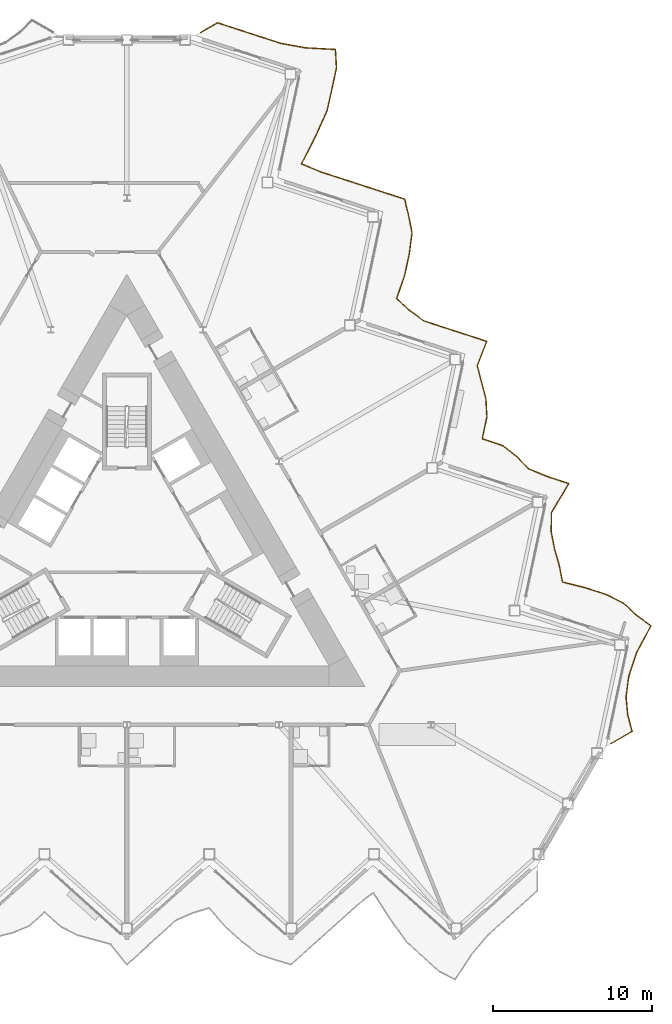
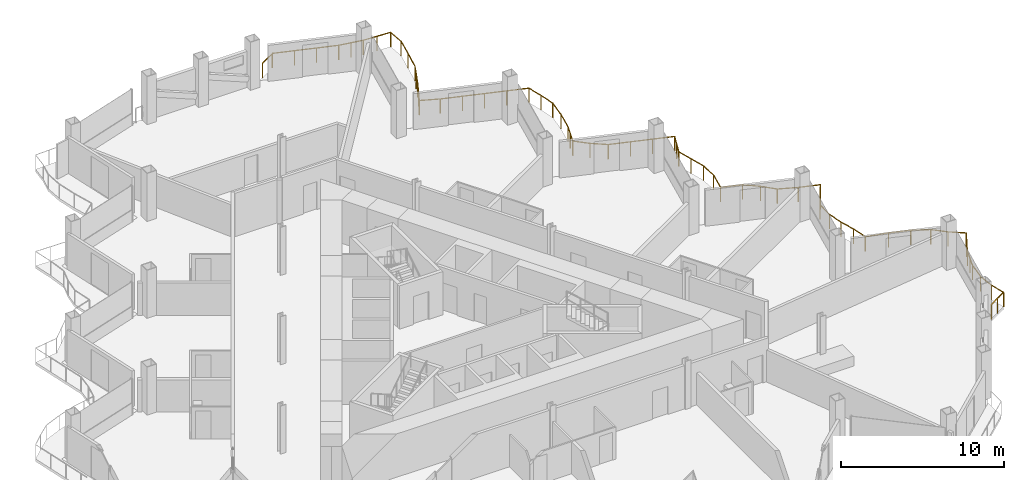
# One storey, part 22 of 24: 1 railing.
"""IFC4 building model written with IfcOpenShell, lengths in metres."""

from ifc_helpers import new_model, si_unit, direction, frame, origin, origin_2d, place, context, subcontext, project, spatial, circle, extrude, material, type_object, element, save


model = new_model("IFC4")

# Units and contexts
model_context = context("Model", 3, precision=1e-05, world=origin(), true_north=direction((0.0, 1.0)))
body_context = subcontext(model_context, "Body", "Model", "MODEL_VIEW")
ifc_project = project(units=[si_unit("LENGTHUNIT", "METRE"), si_unit("AREAUNIT", "SQUARE_METRE"), si_unit("VOLUMEUNIT", "CUBIC_METRE"), si_unit("PLANEANGLEUNIT", "RADIAN"), si_unit("MASSUNIT", "GRAM", prefix="KILO")], contexts=[model_context])

# Site, building, storey
site_placement = place(None, origin())
site = spatial("IfcSite", under=ifc_project, at=site_placement, CompositionType="ELEMENT")
building_placement = place(site_placement, origin())
building = spatial("IfcBuilding", under=site, at=building_placement, Name="Cormorant Prow Tower", CompositionType="ELEMENT")
storey_placement = place(building_placement, frame((0.0, 0.0, 238.199951171875)))
storey = spatial("IfcBuildingStorey", under=building, at=storey_placement, Name="L52", CompositionType="ELEMENT", Elevation=238.199951171875)

# Railing
ifc_material = material(Name="Aluminium 6063-T6", Category="aluminium")
railing_type = type_object("IfcRailingType", Name="Balcony guard 1100", PredefinedType="GUARDRAIL", material=ifc_material)
railing_placement = place(storey_placement, frame((30.512451171875, -12.24365234375, 0.0)))
element("IfcRailing", 1, at=railing_placement, inside=storey, type_object=railing_type, Name="Balcony guard ENE", PredefinedType="GUARDRAIL", context=body_context, shape_type="SweptSolid", body=[
    extrude(circle(Radius=0.02392578125, at=origin_2d()), frame((0.0, 0.0, 1.076171875), z_axis=(0.866030456496, 0.499991248344, 0.0), x_axis=(-0.499991248344, 0.866030456496, 0.0)), (0.0, 0.0, 1.0), 1.52001953125),
    extrude(circle(Radius=0.02392578125, at=origin_2d()), frame((1.31640625, 0.760009765625, 1.076171875), z_axis=(-0.254840792484, 0.966983024921, 0.0), x_axis=(-0.966983024921, -0.254840792484, 0.0)), (0.0, 0.0, 1.0), 1.072021484375),
    extrude(circle(Radius=0.02392578125, at=origin_2d()), frame((1.043212890625, 1.796630859375, 1.076171875), z_axis=(-0.096228090326, 0.995359309311, 0.0), x_axis=(-0.995359309311, -0.096228090326, 0.0)), (0.0, 0.0, 1.0), 1.13671875),
    extrude(circle(Radius=0.02392578125, at=origin_2d()), frame((0.933837890625, 2.927978515625, 1.076171875), z_axis=(0.131035567857, 0.991377667671, 0.0), x_axis=(-0.991377667671, 0.131035567857, 0.0)), (0.0, 0.0, 1.0), 1.30419921875),
    extrude(circle(Radius=0.02392578125, at=origin_2d()), frame((1.104736328125, 4.220947265625, 1.076171875), z_axis=(0.312593203232, 0.949887092919, 0.0), x_axis=(-0.949887092919, 0.312593203232, 0.0)), (0.0, 0.0, 1.0), 1.552734375),
    extrude(circle(Radius=0.02392578125, at=origin_2d()), frame((1.590087890625, 5.69580078125, 1.076171875), z_axis=(0.468727775274, 0.883342670025, 0.0), x_axis=(-0.883342670025, 0.468727775274, 0.0)), (0.0, 0.0, 1.0), 1.948974609375),
    extrude(circle(Radius=0.02392578125, at=origin_2d()), frame((2.503662109375, 7.41748046875, 1.076171875), z_axis=(-0.808512145114, 0.588479490894, 0.0), x_axis=(-0.588479490894, -0.808512145114, 0.0)), (0.0, 0.0, 1.0), 1.1318359375),
    extrude(circle(Radius=0.02392578125, at=origin_2d()), frame((1.588623046875, 8.08349609375, 1.076171875), z_axis=(-0.729332902847, 0.68415898505, 0.0), x_axis=(-0.68415898505, -0.729332902847, 0.0)), (0.0, 0.0, 1.0), 1.080810546875),
    extrude(circle(Radius=0.02392578125, at=origin_2d()), frame((0.80029296875, 8.822998046875, 1.076171875), z_axis=(-0.891036475341, 0.453931712499, 0.0), x_axis=(-0.453931712499, -0.891036475341, 0.0)), (0.0, 0.0, 1.0), 1.233154296875),
    extrude(circle(Radius=0.02392578125, at=origin_2d()), frame((-0.298583984375, 9.3828125, 1.076171875), z_axis=(-0.951041802481, 0.30906227517, 0.0), x_axis=(-0.30906227517, -0.951041802481, 0.0)), (0.0, 0.0, 1.0), 1.391845703125),
    extrude(circle(Radius=0.02392578125, at=origin_2d()), frame((-1.622314453125, 9.81298828125, 1.076171875), z_axis=(-0.970161796479, 0.242458426648, 0.0), x_axis=(-0.242458426648, -0.970161796479, 0.0)), (0.0, 0.0, 1.0), 1.48828125),
    extrude(circle(Radius=0.02392578125, at=origin_2d()), frame((-3.066162109375, 10.173828125, 1.076171875), z_axis=(-0.192507229967, 0.981295555075, 0.0), x_axis=(-0.981295555075, -0.192507229967, 0.0)), (0.0, 0.0, 1.0), 1.09326171875),
    extrude(circle(Radius=0.02392578125, at=origin_2d()), frame((-3.276611328125, 11.24658203125, 1.076171875), z_axis=(-0.276717339996, 0.960951358678, 0.0), x_axis=(-0.960951358678, -0.276717339996, 0.0)), (0.0, 0.0, 1.0), 1.065673828125),
    extrude(circle(Radius=0.02392578125, at=origin_2d()), frame((-3.571533203125, 12.270751953125, 1.076171875), z_axis=(-0.191263897911, 0.981538649955, 0.0), x_axis=(-0.981538649955, -0.191263897911, 0.0)), (0.0, 0.0, 1.0), 1.093994140625),
    extrude(circle(Radius=0.02392578125, at=origin_2d()), frame((-3.78076171875, 13.344482421875, 1.076171875), z_axis=(0.0183993115, 0.99983071834, 0.0), x_axis=(-0.99983071834, 0.0183993115, 0.0)), (0.0, 0.0, 1.0), 1.20751953125),
    extrude(circle(Radius=0.02392578125, at=origin_2d()), frame((-3.758544921875, 14.5517578125, 1.076171875), z_axis=(0.513058699108, 0.85835352348, 0.0), x_axis=(-0.85835352348, 0.513058699108, 0.0)), (0.0, 0.0, 1.0), 2.124755859375),
    extrude(circle(Radius=0.02392578125, at=origin_2d()), frame((-2.66845703125, 16.37548828125, 1.076171875), z_axis=(-0.951025043764, 0.309113840087, 0.0), x_axis=(-0.309113840087, -0.951025043764, 0.0)), (0.0, 0.0, 1.0), 1.3916015625),
    extrude(circle(Radius=0.02392578125, at=origin_2d()), frame((-3.991943359375, 16.8056640625, 1.076171875), z_axis=(-0.924623875509, 0.380881462975, 0.0), x_axis=(-0.380881462975, -0.924623875509, 0.0)), (0.0, 0.0, 1.0), 1.3056640625),
    extrude(circle(Radius=0.02392578125, at=origin_2d()), frame((-5.19921875, 17.302978515625, 1.076171875), z_axis=(-0.698129452418, 0.715971555068, 0.0), x_axis=(-0.715971555068, -0.698129452418, 0.0)), (0.0, 0.0, 1.0), 1.0673828125),
    extrude(circle(Radius=0.02392578125, at=origin_2d()), frame((-5.9443359375, 18.067138671875, 1.076171875), z_axis=(-0.783814393547, 0.62099516622, 0.0), x_axis=(-0.62099516622, -0.783814393547, 0.0)), (0.0, 0.0, 1.0), 1.112548828125),
    extrude(circle(Radius=0.02392578125, at=origin_2d()), frame((-6.81640625, 18.758056640625, 1.076171875), z_axis=(-0.946657972605, 0.322240101327, 0.0), x_axis=(-0.322240101327, -0.946657972605, 0.0)), (0.0, 0.0, 1.0), 1.375),
    extrude(circle(Radius=0.02392578125, at=origin_2d()), frame((-8.1181640625, 19.201171875, 1.076171875), z_axis=(0.208043372931, 0.978119601572, 0.0), x_axis=(-0.978119601572, 0.208043372931, 0.0)), (0.0, 0.0, 1.0), 1.391845703125),
    extrude(circle(Radius=0.02392578125, at=origin_2d()), frame((-7.82861328125, 20.5625, 1.076171875), z_axis=(-0.053663343853, 0.998559084645, 0.0), x_axis=(-0.998559084645, -0.053663343853, 0.0)), (0.0, 0.0, 1.0), 1.16015625),
    extrude(circle(Radius=0.02392578125, at=origin_2d()), frame((-7.890869140625, 21.720947265625, 1.076171875), z_axis=(-0.255804906349, 0.96672842613, 0.0), x_axis=(-0.96672842613, -0.255804906349, 0.0)), (0.0, 0.0, 1.0), 1.07177734375),
    extrude(circle(Radius=0.02392578125, at=origin_2d()), frame((-8.1650390625, 22.757080078125, 1.076171875), z_axis=(-0.254089825129, 0.967180624685, 0.0), x_axis=(-0.967180624685, -0.254089825129, 0.0)), (0.0, 0.0, 1.0), 1.072265625),
    extrude(circle(Radius=0.02392578125, at=origin_2d()), frame((-8.4375, 23.794189453125, 1.076171875), z_axis=(0.361682622655, 0.932301282027, 0.0), x_axis=(-0.932301282027, 0.361682622655, 0.0)), (0.0, 0.0, 1.0), 1.651123046875),
    extrude(circle(Radius=0.02392578125, at=origin_2d()), frame((-7.84033203125, 25.33349609375, 1.076171875), z_axis=(-0.951041802481, 0.30906227517, 0.0), x_axis=(-0.30906227517, -0.951041802481, 0.0)), (0.0, 0.0, 1.0), 1.391845703125),
    extrude(circle(Radius=0.02392578125, at=origin_2d()), frame((-9.1640625, 25.763671875, 1.076171875), z_axis=(-0.951041802481, 0.30906227517, 0.0), x_axis=(-0.30906227517, -0.951041802481, 0.0)), (0.0, 0.0, 1.0), 1.391845703125),
    extrude(circle(Radius=0.02392578125, at=origin_2d()), frame((-10.48779296875, 26.19384765625, 1.076171875), z_axis=(-0.951093348811, 0.308903612552, 0.0), x_axis=(-0.308903612552, -0.951093348811, 0.0)), (0.0, 0.0, 1.0), 1.391845703125),
    extrude(circle(Radius=0.02392578125, at=origin_2d()), frame((-11.8115234375, 26.623779296875, 1.076171875), z_axis=(-0.805338317459, 0.592815480932, 0.0), x_axis=(-0.592815480932, -0.805338317459, 0.0)), (0.0, 0.0, 1.0), 1.129150390625),
    extrude(circle(Radius=0.02392578125, at=origin_2d()), frame((-12.720947265625, 27.293212890625, 1.076171875), z_axis=(-0.730205983412, 0.683227064591, 0.0), x_axis=(-0.683227064591, -0.730205983412, 0.0)), (0.0, 0.0, 1.0), 1.0810546875),
    extrude(circle(Radius=0.02392578125, at=origin_2d()), frame((-13.51025390625, 28.03173828125, 1.076171875), z_axis=(0.32394351761, 0.946076422599, 0.0), x_axis=(-0.946076422599, 0.32394351761, 0.0)), (0.0, 0.0, 1.0), 1.57373046875),
    extrude(circle(Radius=0.02392578125, at=origin_2d()), frame((-13.00048828125, 29.5205078125, 1.076171875), z_axis=(0.207839876658, 0.978162862549, 0.0), x_axis=(-0.978162862549, 0.207839876658, 0.0)), (0.0, 0.0, 1.0), 1.39208984375),
    extrude(circle(Radius=0.02392578125, at=origin_2d()), frame((-12.711181640625, 30.882080078125, 1.076171875), z_axis=(0.127268491601, 0.991868303277, 0.0), x_axis=(-0.991868303277, 0.127268491601, 0.0)), (0.0, 0.0, 1.0), 1.300537109375),
    extrude(circle(Radius=0.02392578125, at=origin_2d()), frame((-12.545654296875, 32.172119140625, 1.076171875), z_axis=(-0.194182012414, 0.980965517261, 0.0), x_axis=(-0.980965517261, -0.194182012414, 0.0)), (0.0, 0.0, 1.0), 1.092529296875),
    extrude(circle(Radius=0.02392578125, at=origin_2d()), frame((-12.7578125, 33.243896484375, 1.076171875), z_axis=(-0.235975942888, 0.971758897247, 0.0), x_axis=(-0.971758897247, -0.235975942888, 0.0)), (0.0, 0.0, 1.0), 1.078125),
    extrude(circle(Radius=0.02392578125, at=origin_2d()), frame((-13.01220703125, 34.29150390625, 1.076171875), z_axis=(-0.951093348811, 0.308903612552, 0.0), x_axis=(-0.308903612552, -0.951093348811, 0.0)), (0.0, 0.0, 1.0), 1.391845703125),
    extrude(circle(Radius=0.02392578125, at=origin_2d()), frame((-14.3359375, 34.721435546875, 1.076171875), z_axis=(-0.950990235276, 0.309220911987, 0.0), x_axis=(-0.309220911987, -0.950990235276, 0.0)), (0.0, 0.0, 1.0), 1.391845703125),
    extrude(circle(Radius=0.02392578125, at=origin_2d()), frame((-15.65966796875, 35.15185546875, 1.076171875), z_axis=(-0.951093348811, 0.308903612552, 0.0), x_axis=(-0.308903612552, -0.951093348811, 0.0)), (0.0, 0.0, 1.0), 1.391845703125),
    extrude(circle(Radius=0.02392578125, at=origin_2d()), frame((-16.9833984375, 35.581787109375, 1.076171875), z_axis=(-0.951041802481, 0.30906227517, 0.0), x_axis=(-0.30906227517, -0.951041802481, 0.0)), (0.0, 0.0, 1.0), 1.391845703125),
    extrude(circle(Radius=0.02392578125, at=origin_2d()), frame((-18.30712890625, 36.011962890625, 1.076171875), z_axis=(-0.923038072254, 0.384708613329, 0.0), x_axis=(-0.384708613329, -0.923038072254, 0.0)), (0.0, 0.0, 1.0), 1.301513671875),
    extrude(circle(Radius=0.02392578125, at=origin_2d()), frame((-19.508544921875, 36.5126953125, 1.076171875), z_axis=(0.455501796215, 0.890234864317, 0.0), x_axis=(-0.890234864317, 0.455501796215, 0.0)), (0.0, 0.0, 1.0), 1.904296875),
    extrude(circle(Radius=0.02392578125, at=origin_2d()), frame((-18.64111328125, 38.2080078125, 1.076171875), z_axis=(0.414917620395, 0.909858982637, 0.0), x_axis=(-0.909858982637, 0.414917620395, 0.0)), (0.0, 0.0, 1.0), 1.78173828125),
    extrude(circle(Radius=0.02392578125, at=origin_2d()), frame((-17.90185546875, 39.8291015625, 1.076171875), z_axis=(0.219024854364, 0.975719279901, 0.0), x_axis=(-0.975719279901, 0.219024854364, 0.0)), (0.0, 0.0, 1.0), 1.40673828125),
    extrude(circle(Radius=0.02392578125, at=origin_2d()), frame((-17.59375, 41.20166015625, 1.076171875), z_axis=(0.208043372931, 0.978119601572, 0.0), x_axis=(-0.978119601572, 0.208043372931, 0.0)), (0.0, 0.0, 1.0), 1.391845703125),
    extrude(circle(Radius=0.02392578125, at=origin_2d()), frame((-17.30419921875, 42.56298828125, 1.076171875), z_axis=(-0.057992644245, 0.99831701038, 0.0), x_axis=(-0.99831701038, -0.057992644245, 0.0)), (0.0, 0.0, 1.0), 1.15771484375),
    extrude(circle(Radius=0.02392578125, at=origin_2d()), frame((-17.371337890625, 43.71875, 1.076171875), z_axis=(-0.998479361675, 0.055126802099, 0.0), x_axis=(-0.055126802099, -0.998479361675, 0.0)), (0.0, 0.0, 1.0), 1.89111328125),
    extrude(circle(Radius=0.02392578125, at=origin_2d()), frame((-19.259521484375, 43.822998046875, 1.076171875), z_axis=(-0.983754816104, 0.179517302209, 0.0), x_axis=(-0.179517302209, -0.983754816104, 0.0)), (0.0, 0.0, 1.0), 1.597900390625),
    extrude(circle(Radius=0.02392578125, at=origin_2d()), frame((-20.83154296875, 44.10986328125, 1.076171875), z_axis=(-0.951093348811, 0.308903612552, 0.0), x_axis=(-0.308903612552, -0.951093348811, 0.0)), (0.0, 0.0, 1.0), 1.391845703125),
    extrude(circle(Radius=0.02392578125, at=origin_2d()), frame((-22.1552734375, 44.539794921875, 1.076171875), z_axis=(-0.951041802481, 0.30906227517, 0.0), x_axis=(-0.30906227517, -0.951041802481, 0.0)), (0.0, 0.0, 1.0), 1.391845703125),
    extrude(circle(Radius=0.02392578125, at=origin_2d()), frame((-23.47900390625, 44.969970703125, 1.076171875), z_axis=(-0.951041802481, 0.30906227517, 0.0), x_axis=(-0.30906227517, -0.951041802481, 0.0)), (0.0, 0.0, 1.0), 1.391845703125),
    extrude(circle(Radius=0.02392578125, at=origin_2d()), frame((-24.802734375, 45.400146484375, 1.076171875), z_axis=(-0.866005645448, -0.500034220881, 0.0), x_axis=(0.500034220881, -0.866005645448, 0.0)), (0.0, 0.0, 1.0), 1.22021484375),
    extrude(circle(Radius=0.02099609375, at=origin_2d()), origin(), (0.0, 0.0, 1.0), 1.052001953125),
    extrude(circle(Radius=0.02099609375, at=origin_2d()), frame((0.658203125, 0.3798828125, 0.0)), (0.0, 0.0, 1.0), 1.052001953125),
    extrude(circle(Radius=0.02099609375, at=origin_2d()), frame((1.31640625, 0.760009765625, 0.0)), (0.0, 0.0, 1.0), 1.052001953125),
    extrude(circle(Radius=0.02099609375, at=origin_2d()), frame((1.043212890625, 1.796630859375, 0.0)), (0.0, 0.0, 1.0), 1.052001953125),
    extrude(circle(Radius=0.02099609375, at=origin_2d()), frame((0.933837890625, 2.927978515625, 0.0)), (0.0, 0.0, 1.0), 1.052001953125),
    extrude(circle(Radius=0.02099609375, at=origin_2d()), frame((1.104736328125, 4.220947265625, 0.0)), (0.0, 0.0, 1.0), 1.052001953125),
    extrude(circle(Radius=0.02099609375, at=origin_2d()), frame((1.347412109375, 4.95849609375, 0.0)), (0.0, 0.0, 1.0), 1.052001953125),
    extrude(circle(Radius=0.02099609375, at=origin_2d()), frame((1.590087890625, 5.69580078125, 0.0)), (0.0, 0.0, 1.0), 1.052001953125),
    extrude(circle(Radius=0.02099609375, at=origin_2d()), frame((2.046875, 6.556640625, 0.0)), (0.0, 0.0, 1.0), 1.052001953125),
    extrude(circle(Radius=0.02099609375, at=origin_2d()), frame((2.503662109375, 7.41748046875, 0.0)), (0.0, 0.0, 1.0), 1.052001953125),
    extrude(circle(Radius=0.02099609375, at=origin_2d()), frame((1.588623046875, 8.08349609375, 0.0)), (0.0, 0.0, 1.0), 1.052001953125),
    extrude(circle(Radius=0.02099609375, at=origin_2d()), frame((0.80029296875, 8.822998046875, 0.0)), (0.0, 0.0, 1.0), 1.052001953125),
    extrude(circle(Radius=0.02099609375, at=origin_2d()), frame((-0.298583984375, 9.3828125, 0.0)), (0.0, 0.0, 1.0), 1.052001953125),
    extrude(circle(Radius=0.02099609375, at=origin_2d()), frame((-1.622314453125, 9.81298828125, 0.0)), (0.0, 0.0, 1.0), 1.052001953125),
    extrude(circle(Radius=0.02099609375, at=origin_2d()), frame((-3.066162109375, 10.173828125, 0.0)), (0.0, 0.0, 1.0), 1.052001953125),
    extrude(circle(Radius=0.02099609375, at=origin_2d()), frame((-3.276611328125, 11.24658203125, 0.0)), (0.0, 0.0, 1.0), 1.052001953125),
    extrude(circle(Radius=0.02099609375, at=origin_2d()), frame((-3.571533203125, 12.270751953125, 0.0)), (0.0, 0.0, 1.0), 1.052001953125),
    extrude(circle(Radius=0.02099609375, at=origin_2d()), frame((-3.78076171875, 13.344482421875, 0.0)), (0.0, 0.0, 1.0), 1.052001953125),
    extrude(circle(Radius=0.02099609375, at=origin_2d()), frame((-3.758544921875, 14.5517578125, 0.0)), (0.0, 0.0, 1.0), 1.052001953125),
    extrude(circle(Radius=0.02099609375, at=origin_2d()), frame((-3.21337890625, 15.463623046875, 0.0)), (0.0, 0.0, 1.0), 1.052001953125),
    extrude(circle(Radius=0.02099609375, at=origin_2d()), frame((-2.66845703125, 16.37548828125, 0.0)), (0.0, 0.0, 1.0), 1.052001953125),
    extrude(circle(Radius=0.02099609375, at=origin_2d()), frame((-3.991943359375, 16.8056640625, 0.0)), (0.0, 0.0, 1.0), 1.052001953125),
    extrude(circle(Radius=0.02099609375, at=origin_2d()), frame((-5.19921875, 17.302978515625, 0.0)), (0.0, 0.0, 1.0), 1.052001953125),
    extrude(circle(Radius=0.02099609375, at=origin_2d()), frame((-5.9443359375, 18.067138671875, 0.0)), (0.0, 0.0, 1.0), 1.052001953125),
    extrude(circle(Radius=0.02099609375, at=origin_2d()), frame((-6.81640625, 18.758056640625, 0.0)), (0.0, 0.0, 1.0), 1.052001953125),
    extrude(circle(Radius=0.02099609375, at=origin_2d()), frame((-8.1181640625, 19.201171875, 0.0)), (0.0, 0.0, 1.0), 1.052001953125),
    extrude(circle(Radius=0.02099609375, at=origin_2d()), frame((-7.82861328125, 20.5625, 0.0)), (0.0, 0.0, 1.0), 1.052001953125),
    extrude(circle(Radius=0.02099609375, at=origin_2d()), frame((-7.890869140625, 21.720947265625, 0.0)), (0.0, 0.0, 1.0), 1.052001953125),
    extrude(circle(Radius=0.02099609375, at=origin_2d()), frame((-8.1650390625, 22.757080078125, 0.0)), (0.0, 0.0, 1.0), 1.052001953125),
    extrude(circle(Radius=0.02099609375, at=origin_2d()), frame((-8.4375, 23.794189453125, 0.0)), (0.0, 0.0, 1.0), 1.052001953125),
    extrude(circle(Radius=0.02099609375, at=origin_2d()), frame((-8.138916015625, 24.56396484375, 0.0)), (0.0, 0.0, 1.0), 1.052001953125),
    extrude(circle(Radius=0.02099609375, at=origin_2d()), frame((-7.84033203125, 25.33349609375, 0.0)), (0.0, 0.0, 1.0), 1.052001953125),
    extrude(circle(Radius=0.02099609375, at=origin_2d()), frame((-9.1640625, 25.763671875, 0.0)), (0.0, 0.0, 1.0), 1.052001953125),
    extrude(circle(Radius=0.02099609375, at=origin_2d()), frame((-10.48779296875, 26.19384765625, 0.0)), (0.0, 0.0, 1.0), 1.052001953125),
    extrude(circle(Radius=0.02099609375, at=origin_2d()), frame((-11.8115234375, 26.623779296875, 0.0)), (0.0, 0.0, 1.0), 1.052001953125),
    extrude(circle(Radius=0.02099609375, at=origin_2d()), frame((-12.720947265625, 27.293212890625, 0.0)), (0.0, 0.0, 1.0), 1.052001953125),
    extrude(circle(Radius=0.02099609375, at=origin_2d()), frame((-13.51025390625, 28.03173828125, 0.0)), (0.0, 0.0, 1.0), 1.052001953125),
    extrude(circle(Radius=0.02099609375, at=origin_2d()), frame((-13.25537109375, 28.776123046875, 0.0)), (0.0, 0.0, 1.0), 1.052001953125),
    extrude(circle(Radius=0.02099609375, at=origin_2d()), frame((-13.00048828125, 29.5205078125, 0.0)), (0.0, 0.0, 1.0), 1.052001953125),
    extrude(circle(Radius=0.02099609375, at=origin_2d()), frame((-12.711181640625, 30.882080078125, 0.0)), (0.0, 0.0, 1.0), 1.052001953125),
    extrude(circle(Radius=0.02099609375, at=origin_2d()), frame((-12.545654296875, 32.172119140625, 0.0)), (0.0, 0.0, 1.0), 1.052001953125),
    extrude(circle(Radius=0.02099609375, at=origin_2d()), frame((-12.7578125, 33.243896484375, 0.0)), (0.0, 0.0, 1.0), 1.052001953125),
    extrude(circle(Radius=0.02099609375, at=origin_2d()), frame((-13.01220703125, 34.29150390625, 0.0)), (0.0, 0.0, 1.0), 1.052001953125),
    extrude(circle(Radius=0.02099609375, at=origin_2d()), frame((-14.3359375, 34.721435546875, 0.0)), (0.0, 0.0, 1.0), 1.052001953125),
    extrude(circle(Radius=0.02099609375, at=origin_2d()), frame((-15.65966796875, 35.15185546875, 0.0)), (0.0, 0.0, 1.0), 1.052001953125),
    extrude(circle(Radius=0.02099609375, at=origin_2d()), frame((-16.9833984375, 35.581787109375, 0.0)), (0.0, 0.0, 1.0), 1.052001953125),
    extrude(circle(Radius=0.02099609375, at=origin_2d()), frame((-18.30712890625, 36.011962890625, 0.0)), (0.0, 0.0, 1.0), 1.052001953125),
    extrude(circle(Radius=0.02099609375, at=origin_2d()), frame((-19.508544921875, 36.5126953125, 0.0)), (0.0, 0.0, 1.0), 1.052001953125),
    extrude(circle(Radius=0.02099609375, at=origin_2d()), frame((-19.07470703125, 37.3603515625, 0.0)), (0.0, 0.0, 1.0), 1.052001953125),
    extrude(circle(Radius=0.02099609375, at=origin_2d()), frame((-18.64111328125, 38.2080078125, 0.0)), (0.0, 0.0, 1.0), 1.052001953125),
    extrude(circle(Radius=0.02099609375, at=origin_2d()), frame((-18.271484375, 39.0185546875, 0.0)), (0.0, 0.0, 1.0), 1.052001953125),
    extrude(circle(Radius=0.02099609375, at=origin_2d()), frame((-17.90185546875, 39.8291015625, 0.0)), (0.0, 0.0, 1.0), 1.052001953125),
    extrude(circle(Radius=0.02099609375, at=origin_2d()), frame((-17.59375, 41.20166015625, 0.0)), (0.0, 0.0, 1.0), 1.052001953125),
    extrude(circle(Radius=0.02099609375, at=origin_2d()), frame((-17.30419921875, 42.56298828125, 0.0)), (0.0, 0.0, 1.0), 1.052001953125),
    extrude(circle(Radius=0.02099609375, at=origin_2d()), frame((-17.371337890625, 43.71875, 0.0)), (0.0, 0.0, 1.0), 1.052001953125),
    extrude(circle(Radius=0.02099609375, at=origin_2d()), frame((-18.3154296875, 43.77099609375, 0.0)), (0.0, 0.0, 1.0), 1.052001953125),
    extrude(circle(Radius=0.02099609375, at=origin_2d()), frame((-19.259521484375, 43.822998046875, 0.0)), (0.0, 0.0, 1.0), 1.052001953125),
    extrude(circle(Radius=0.02099609375, at=origin_2d()), frame((-20.04541015625, 43.96630859375, 0.0)), (0.0, 0.0, 1.0), 1.052001953125),
    extrude(circle(Radius=0.02099609375, at=origin_2d()), frame((-20.83154296875, 44.10986328125, 0.0)), (0.0, 0.0, 1.0), 1.052001953125),
    extrude(circle(Radius=0.02099609375, at=origin_2d()), frame((-22.1552734375, 44.539794921875, 0.0)), (0.0, 0.0, 1.0), 1.052001953125),
    extrude(circle(Radius=0.02099609375, at=origin_2d()), frame((-23.47900390625, 44.969970703125, 0.0)), (0.0, 0.0, 1.0), 1.052001953125),
    extrude(circle(Radius=0.02099609375, at=origin_2d()), frame((-24.802734375, 45.400146484375, 0.0)), (0.0, 0.0, 1.0), 1.052001953125),
    extrude(circle(Radius=0.02099609375, at=origin_2d()), frame((-25.859375, 44.7900390625, 0.0)), (0.0, 0.0, 1.0), 1.052001953125),
])

save(model, "model.ifc")
